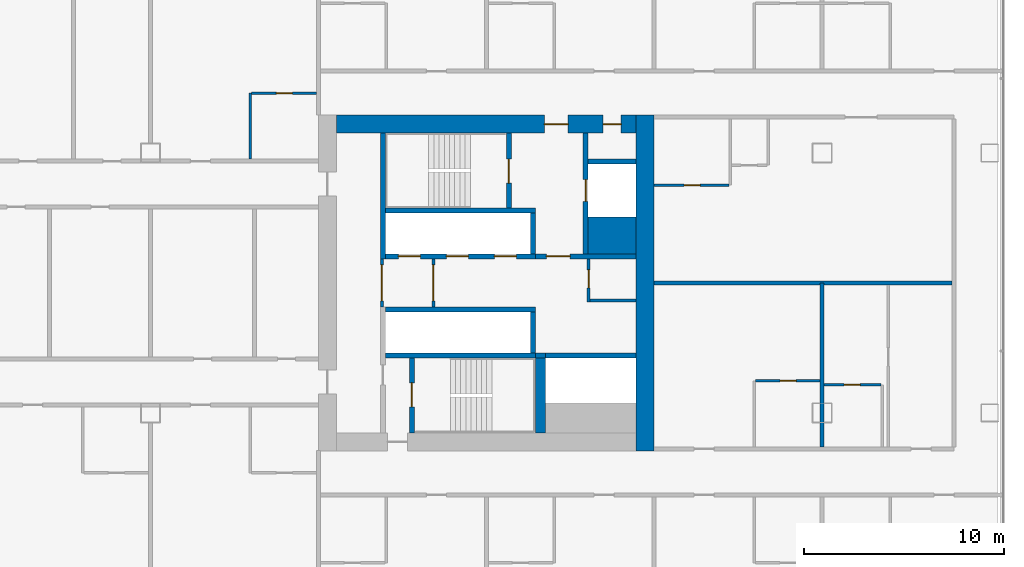
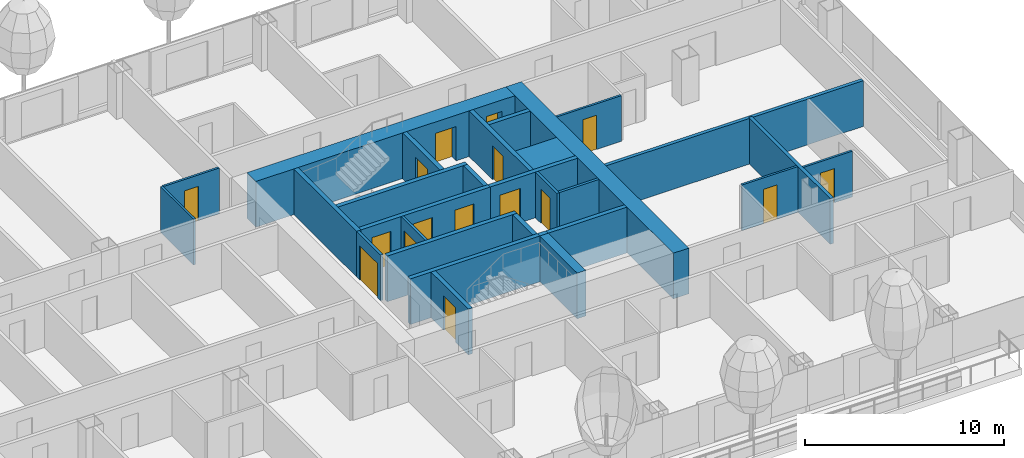
# One storey, part 18 of 35: 29 walls, 16 doors, 16 openings.
"""IFC4 building model written with IfcOpenShell, lengths in metres."""

from ifc_helpers import new_model, si_unit, direction, frame, frame_2d, origin, place, context, subcontext, project, spatial, rectangle, extrude, material, layer, layer_set, type_object, element, fill, save


model = new_model("IFC4")

# Units and contexts
model_context = context("Model", 3, precision=1e-05, world=origin(), true_north=direction((0.0, 1.0)))
body_context = subcontext(model_context, "Body", "Model", "MODEL_VIEW")
ifc_project = project(units=[si_unit("LENGTHUNIT", "METRE"), si_unit("AREAUNIT", "SQUARE_METRE"), si_unit("VOLUMEUNIT", "CUBIC_METRE"), si_unit("PLANEANGLEUNIT", "RADIAN"), si_unit("MASSUNIT", "GRAM", prefix="KILO")], contexts=[model_context])

# Site, building, storey
site_placement = place(None, origin())
site = spatial("IfcSite", under=ifc_project, at=site_placement, CompositionType="ELEMENT")
building_placement = place(site_placement, origin())
building = spatial("IfcBuilding", under=site, at=building_placement, Name="Hakoniwa Tower and Hamabe Station Hall", CompositionType="ELEMENT")
storey_placement = place(building_placement, frame((0.0, 0.0, 51.800048828125)))
storey = spatial("IfcBuildingStorey", under=building, at=storey_placement, Name="L14", CompositionType="ELEMENT", Elevation=51.800048828125)

# Wall, opening, door
ifc_material_1 = material(Name="Gypsum board partition", Category="gypsum")
ifc_layer_1 = layer(ifc_material_1, 0.125)
ifc_layer_set_1 = layer_set([ifc_layer_1], Name="Bathroom Partition 125")
wall_type_1 = type_object("IfcWallType", Name="Bathroom Partition 125", PredefinedType="PARTITIONING", material=ifc_layer_set_1)
wall_1_placement = place(storey_placement, frame((42.10009765625, -5.10009765625, 0.0), z_axis=(0.0, 0.0, 1.0), x_axis=(1.0, 0.0, 0.0)))
wall_1 = element("IfcWall", 1, at=wall_1_placement, inside=storey, type_object=wall_type_1, Name="GW-L14-016", PredefinedType="PARTITIONING", context=body_context, shape_type="SweptSolid", body=[
    extrude(rectangle(XDim=2.83740234375, YDim=0.125, at=frame_2d((1.418701171875, 0.0))), origin(), (0.0, 0.0, 1.0), 2.800048828125),
])
opening_1_placement = place(wall_1_placement, frame((1.0, 0.0, 0.0)))
opening_1 = element("IfcOpeningElement", 2, at=opening_1_placement, cuts=wall_1, Name="Opening GD-G1A2-30", PredefinedType="OPENING", context=body_context, shape_type="SweptSolid", body=[
    extrude(rectangle(XDim=0.800048828125, YDim=2.10009765625, at=frame_2d((0.39990234375, 1.050048828125))), frame((0.0, 0.072509765625, 0.0), z_axis=(0.0, -1.0, 0.0), x_axis=(1.0, 0.0, 0.0)), (0.0, 0.0, 1.0), 0.14501953125),
])
ifc_material_2 = material(Name="Timber door leaf", Category="wood")
door_type_1 = type_object("IfcDoorType", Name="Bathroom Door 800", OperationType="SINGLE_SWING_LEFT", PredefinedType="DOOR", material=ifc_material_2)
door_1_placement = place(opening_1_placement, origin())
door_1 = element("IfcDoor", 3, at=door_1_placement, inside=storey, type_object=door_type_1, Name="Door GD-G1A2-30", OperationType="SINGLE_SWING_RIGHT", OverallHeight=2.10009765625, OverallWidth=0.800048828125, PredefinedType="DOOR", context=body_context, shape_type="SweptSolid", body=[
    extrude(rectangle(XDim=0.800048828125, YDim=2.10009765625, at=frame_2d((0.39990234375, 1.050048828125))), frame((0.0, 0.02490234375, 0.0), z_axis=(0.0, -1.0, 0.0), x_axis=(1.0, 0.0, 0.0)), (0.0, 0.0, 1.0), 0.050048828125),
])
fill(opening_1, door_1)

wall_2_placement = place(storey_placement, frame((38.66259765625, -4.89990234375, 0.0), z_axis=(0.0, 0.0, 1.0), x_axis=(1.0, 0.0, 0.0)))
wall_2 = element("IfcWall", 4, at=wall_2_placement, inside=storey, type_object=wall_type_1, Name="GW-L14-018", PredefinedType="PARTITIONING", context=body_context, shape_type="SweptSolid", body=[
    extrude(rectangle(XDim=3.2373046875, YDim=0.125, at=frame_2d((1.61865234375, 0.0))), origin(), (0.0, 0.0, 1.0), 2.800048828125),
])
opening_2_placement = place(wall_2_placement, frame((1.237548828125, 0.0, 0.0)))
opening_2 = element("IfcOpeningElement", 5, at=opening_2_placement, cuts=wall_2, Name="Opening GD-G1A2-32", PredefinedType="OPENING", context=body_context, shape_type="SweptSolid", body=[
    extrude(rectangle(XDim=0.800048828125, YDim=2.10009765625, at=frame_2d((0.39990234375, 1.050048828125))), frame((0.0, 0.072509765625, 0.0), z_axis=(0.0, -1.0, 0.0), x_axis=(1.0, 0.0, 0.0)), (0.0, 0.0, 1.0), 0.14501953125),
])
door_2_placement = place(opening_2_placement, origin())
door_2 = element("IfcDoor", 6, at=door_2_placement, inside=storey, type_object=door_type_1, Name="Door GD-G1A2-32", OperationType="SINGLE_SWING_RIGHT", OverallHeight=2.10009765625, OverallWidth=0.800048828125, PredefinedType="DOOR", context=body_context, shape_type="SweptSolid", body=[
    extrude(rectangle(XDim=0.800048828125, YDim=2.10009765625, at=frame_2d((0.39990234375, 1.050048828125))), frame((0.0, 0.02490234375, 0.0), z_axis=(0.0, -1.0, 0.0), x_axis=(1.0, 0.0, 0.0)), (0.0, 0.0, 1.0), 0.050048828125),
])
fill(opening_2, door_2)

wall_3_placement = place(storey_placement, frame((33.60009765625, 4.89990234375, 0.0), z_axis=(0.0, 0.0, 1.0), x_axis=(1.0, 0.0, 0.0)))
wall_3 = element("IfcWall", 7, at=wall_3_placement, inside=storey, type_object=wall_type_1, Name="GW-L14-024", PredefinedType="PARTITIONING", context=body_context, shape_type="SweptSolid", body=[
    extrude(rectangle(XDim=3.7373046875, YDim=0.125, at=frame_2d((1.86865234375, 0.0))), origin(), (0.0, 0.0, 1.0), 2.800048828125),
])
opening_3_placement = place(wall_3_placement, frame((1.5, 0.0, 0.0)))
opening_3 = element("IfcOpeningElement", 8, at=opening_3_placement, cuts=wall_3, Name="Opening GD-G1A2-42", PredefinedType="OPENING", context=body_context, shape_type="SweptSolid", body=[
    extrude(rectangle(XDim=0.800048828125, YDim=2.10009765625, at=frame_2d((0.39990234375, 1.050048828125))), frame((0.0, 0.072509765625, 0.0), z_axis=(0.0, -1.0, 0.0), x_axis=(1.0, 0.0, 0.0)), (0.0, 0.0, 1.0), 0.14501953125),
])
door_3_placement = place(opening_3_placement, origin())
door_3 = element("IfcDoor", 9, at=door_3_placement, inside=storey, type_object=door_type_1, Name="Door GD-G1A2-42", OperationType="SINGLE_SWING_LEFT", OverallHeight=2.10009765625, OverallWidth=0.800048828125, PredefinedType="DOOR", context=body_context, shape_type="SweptSolid", body=[
    extrude(rectangle(XDim=0.800048828125, YDim=2.10009765625, at=frame_2d((0.39990234375, 1.050048828125))), frame((0.0, 0.02490234375, 0.0), z_axis=(0.0, -1.0, 0.0), x_axis=(1.0, 0.0, 0.0)), (0.0, 0.0, 1.0), 0.050048828125),
])
fill(opening_3, door_3)

wall_4_placement = place(storey_placement, frame((13.46240234375, 9.5, 0.0), z_axis=(0.0, 0.0, 1.0), x_axis=(1.0, 0.0, 0.0)))
wall_4 = element("IfcWall", 10, at=wall_4_placement, inside=storey, type_object=wall_type_1, Name="GW-L14-031", PredefinedType="PARTITIONING", context=body_context, shape_type="SweptSolid", body=[
    extrude(rectangle(XDim=3.237548828125, YDim=0.125, at=frame_2d((1.61865234375, 0.0))), origin(), (0.0, 0.0, 1.0), 2.800048828125),
])
opening_4_placement = place(wall_4_placement, frame((1.237548828125, 0.0, 0.0)))
opening_4 = element("IfcOpeningElement", 11, at=opening_4_placement, cuts=wall_4, Name="Opening GD-G1A2-55", PredefinedType="OPENING", context=body_context, shape_type="SweptSolid", body=[
    extrude(rectangle(XDim=0.800048828125, YDim=2.10009765625, at=frame_2d((0.39990234375, 1.050048828125))), frame((0.0, 0.072509765625, 0.0), z_axis=(0.0, -1.0, 0.0), x_axis=(1.0, 0.0, 0.0)), (0.0, 0.0, 1.0), 0.14501953125),
])
door_4_placement = place(opening_4_placement, origin())
door_4 = element("IfcDoor", 12, at=door_4_placement, inside=storey, type_object=door_type_1, Name="Door GD-G1A2-55", OperationType="SINGLE_SWING_LEFT", OverallHeight=2.10009765625, OverallWidth=0.800048828125, PredefinedType="DOOR", context=body_context, shape_type="SweptSolid", body=[
    extrude(rectangle(XDim=0.800048828125, YDim=2.10009765625, at=frame_2d((0.39990234375, 1.050048828125))), frame((0.0, 0.02490234375, 0.0), z_axis=(0.0, -1.0, 0.0), x_axis=(1.0, 0.0, 0.0)), (0.0, 0.0, 1.0), 0.050048828125),
])
fill(opening_4, door_4)

# Wall
wall_5_placement = place(storey_placement, frame((13.39990234375, 6.199951171875, 0.0), z_axis=(0.0, 0.0, 1.0), x_axis=(0.0, 1.0, 0.0)))
element("IfcWall", 13, at=wall_5_placement, inside=storey, type_object=wall_type_1, Name="GW-L14-082", PredefinedType="PARTITIONING", context=body_context, shape_type="SweptSolid", body=[
    extrude(rectangle(XDim=3.300048828125, YDim=0.125, at=frame_2d((1.64990234375, 0.0))), origin(), (0.0, 0.0, 1.0), 2.800048828125),
])

# Wall, opening, door
ifc_material_3 = material(Name="Gypsum board partition")
ifc_layer_2 = layer(ifc_material_3, 0.14990234375)
ifc_layer_set_2 = layer_set([ifc_layer_2], Name="CORE PARTITION 150 EI 60")
wall_type_2 = type_object("IfcWallType", Name="CORE PARTITION 150 EI 60", PredefinedType="PARTITIONING", material=ifc_layer_set_2)
wall_6_placement = place(storey_placement, frame((19.97509765625, -1.199951171875, 0.0), z_axis=(0.0, 0.0, 1.0), x_axis=(0.0, 1.0, 0.0)))
wall_6 = element("IfcWall", 14, at=wall_6_placement, inside=storey, type_object=wall_type_2, Name="Core partition PL0 east", PredefinedType="PARTITIONING", context=body_context, shape_type="SweptSolid", body=[
    extrude(rectangle(XDim=2.39990234375, YDim=0.14990234375, at=frame_2d((1.199951171875, 0.0))), origin(), (0.0, 0.0, 1.0), 2.800048828125),
])
opening_5_placement = place(wall_6_placement, frame((0.300048828125, 0.0, 0.0)))
opening_5 = element("IfcOpeningElement", 15, at=opening_5_placement, cuts=wall_6, Name="Opening CD-E-LP0-18", PredefinedType="OPENING", context=body_context, shape_type="SweptSolid", body=[
    extrude(rectangle(XDim=1.800048828125, YDim=2.10009765625, at=frame_2d((0.89990234375, 1.050048828125))), frame((0.0, 0.0849609375, 0.0), z_axis=(0.0, -1.0, 0.0), x_axis=(1.0, 0.0, 0.0)), (0.0, 0.0, 1.0), 0.169921875),
])
ifc_material_4 = material(Name="Steel fire door", Category="steel")
door_type_2 = type_object("IfcDoorType", Name="CORE DOOR 1800 FD60", OperationType="DOUBLE_DOOR_SINGLE_SWING", PredefinedType="DOOR", material=ifc_material_4)
door_5_placement = place(opening_5_placement, origin())
door_5 = element("IfcDoor", 16, at=door_5_placement, inside=storey, type_object=door_type_2, Name="Lift lobby partition door", OperationType="DOUBLE_DOOR_SINGLE_SWING", OverallHeight=2.10009765625, OverallWidth=1.800048828125, PredefinedType="DOOR", context=body_context, shape_type="SweptSolid", body=[
    extrude(rectangle(XDim=1.800048828125, YDim=2.10009765625, at=frame_2d((0.89990234375, 1.050048828125))), frame((0.0, 0.02490234375, 0.0), z_axis=(0.0, -1.0, 0.0), x_axis=(1.0, 0.0, 0.0)), (0.0, 0.0, 1.0), 0.050048828125),
])
fill(opening_5, door_5)

wall_7_placement = place(storey_placement, frame((22.550048828125, -1.199951171875, 0.0), z_axis=(0.0, 0.0, 1.0), x_axis=(0.0, 1.0, 0.0)))
wall_7 = element("IfcWall", 17, at=wall_7_placement, inside=storey, type_object=wall_type_2, Name="Core partition PL1 east", PredefinedType="PARTITIONING", context=body_context, shape_type="SweptSolid", body=[
    extrude(rectangle(XDim=2.39990234375, YDim=0.14990234375, at=frame_2d((1.199951171875, 0.0))), origin(), (0.0, 0.0, 1.0), 2.800048828125),
])
opening_6_placement = place(wall_7_placement, frame((0.300048828125, 0.0, 0.0)))
opening_6 = element("IfcOpeningElement", 18, at=opening_6_placement, cuts=wall_7, Name="Opening CD-E-LP1-18", PredefinedType="OPENING", context=body_context, shape_type="SweptSolid", body=[
    extrude(rectangle(XDim=1.800048828125, YDim=2.10009765625, at=frame_2d((0.89990234375, 1.050048828125))), frame((0.0, 0.0849609375, 0.0), z_axis=(0.0, -1.0, 0.0), x_axis=(1.0, 0.0, 0.0)), (0.0, 0.0, 1.0), 0.169921875),
])
door_6_placement = place(opening_6_placement, origin())
door_6 = element("IfcDoor", 19, at=door_6_placement, inside=storey, type_object=door_type_2, Name="Lift lobby partition door", OperationType="DOUBLE_DOOR_SINGLE_SWING", OverallHeight=2.10009765625, OverallWidth=1.800048828125, PredefinedType="DOOR", context=body_context, shape_type="SweptSolid", body=[
    extrude(rectangle(XDim=1.800048828125, YDim=2.10009765625, at=frame_2d((0.89990234375, 1.050048828125))), frame((0.0, 0.02490234375, 0.0), z_axis=(0.0, -1.0, 0.0), x_axis=(1.0, 0.0, 0.0)), (0.0, 0.0, 1.0), 0.050048828125),
])
fill(opening_6, door_6)

wall_8_placement = place(storey_placement, frame((30.324951171875, -0.949951171875, 0.0), z_axis=(0.0, 0.0, 1.0), x_axis=(0.0, 1.0, 0.0)))
wall_8 = element("IfcWall", 20, at=wall_8_placement, inside=storey, type_object=wall_type_2, Name="Core partition PW0 east", PredefinedType="PARTITIONING", context=body_context, shape_type="SweptSolid", body=[
    extrude(rectangle(XDim=2.14990234375, YDim=0.14990234375, at=frame_2d((1.074951171875, 0.0))), origin(), (0.0, 0.0, 1.0), 2.800048828125),
])
opening_7_placement = place(wall_8_placement, frame((0.699951171875, 0.0, 0.0)))
opening_7 = element("IfcOpeningElement", 21, at=opening_7_placement, cuts=wall_8, Name="Opening CD-E-RM1-9", PredefinedType="OPENING", context=body_context, shape_type="SweptSolid", body=[
    extrude(rectangle(XDim=0.89990234375, YDim=2.10009765625, at=frame_2d((0.449951171875, 1.050048828125))), frame((0.0, 0.0849609375, 0.0), z_axis=(0.0, -1.0, 0.0), x_axis=(1.0, 0.0, 0.0)), (0.0, 0.0, 1.0), 0.169921875),
])
ifc_material_5 = material(Name="Steel fire door", Category="steel")
door_type_3 = type_object("IfcDoorType", Name="CORE DOOR 900 FD30", OperationType="NOTDEFINED", PredefinedType="DOOR", material=ifc_material_5)
door_7_placement = place(opening_7_placement, origin())
door_7 = element("IfcDoor", 22, at=door_7_placement, inside=storey, type_object=door_type_3, Name="Store room door", OperationType="SINGLE_SWING_LEFT", OverallHeight=2.10009765625, OverallWidth=0.89990234375, PredefinedType="DOOR", context=body_context, shape_type="SweptSolid", body=[
    extrude(rectangle(XDim=0.89990234375, YDim=2.10009765625, at=frame_2d((0.449951171875, 1.050048828125))), frame((0.0, 0.02490234375, 0.0), z_axis=(0.0, -1.0, 0.0), x_axis=(1.0, 0.0, 0.0)), (0.0, 0.0, 1.0), 0.050048828125),
])
fill(opening_7, door_7)

# Walls
wall_9_placement = place(storey_placement, frame((30.39990234375, -0.875, 0.0), z_axis=(0.0, 0.0, 1.0), x_axis=(1.0, 0.0, 0.0)))
element("IfcWall", 23, at=wall_9_placement, inside=storey, type_object=wall_type_2, Name="Core partition PS east", PredefinedType="PARTITIONING", context=body_context, shape_type="SweptSolid", body=[
    extrude(rectangle(XDim=2.300048828125, YDim=0.14990234375, at=frame_2d((1.14990234375, 0.0))), origin(), (0.0, 0.0, 1.0), 2.800048828125),
])
ifc_material_6 = material(Name="Concrete C80", Category="concrete")
ifc_layer_3 = layer(ifc_material_6, 0.89990234375)
ifc_layer_set_3 = layer_set([ifc_layer_3], Name="CORE WALL 900 C80")
wall_type_3 = type_object("IfcWallType", Name="CORE WALL 900 C80", PredefinedType="SHEAR", material=ifc_layer_set_3)
wall_10_placement = place(storey_placement, frame((33.14990234375, -8.39990234375, 0.0), z_axis=(0.0, 0.0, 1.0), x_axis=(0.0, 1.0, 0.0)))
element("IfcWall", 24, at=wall_10_placement, inside=storey, type_object=wall_type_3, Name="Core wall OUTER east", PredefinedType="SHEAR", context=body_context, shape_type="SweptSolid", body=[
    extrude(rectangle(XDim=16.7998046875, YDim=0.89990234375, at=frame_2d((8.39990234375, 0.0))), origin(), (0.0, 0.0, 1.0), 2.800048828125),
])

# Wall, openings, doors
wall_11_placement = place(storey_placement, frame((17.699951171875, 7.949951171875, 0.0), z_axis=(0.0, 0.0, 1.0), x_axis=(1.0, 0.0, 0.0)))
wall_11 = element("IfcWall", 25, at=wall_11_placement, inside=storey, type_object=wall_type_3, Name="Core wall NORTH east", PredefinedType="SHEAR", context=body_context, shape_type="SweptSolid", body=[
    extrude(rectangle(XDim=15.0, YDim=0.89990234375, at=frame_2d((7.5, 0.0))), origin(), (0.0, 0.0, 1.0), 2.800048828125),
])
opening_8_placement = place(wall_11_placement, frame((10.39990234375, 0.0, 0.0)))
opening_8 = element("IfcOpeningElement", 26, at=opening_8_placement, cuts=wall_11, Name="Opening CD-E-FN1-12", PredefinedType="OPENING", context=body_context, shape_type="SweptSolid", body=[
    extrude(rectangle(XDim=1.199951171875, YDim=2.10009765625, at=frame_2d((0.60009765625, 1.050048828125))), frame((0.0, 0.4599609375, 0.0), z_axis=(0.0, -1.0, 0.0), x_axis=(1.0, 0.0, 0.0)), (0.0, 0.0, 1.0), 0.919921875),
])
opening_9_placement = place(wall_11_placement, frame((13.35009765625, 0.0, 0.0)))
opening_9 = element("IfcOpeningElement", 27, at=opening_9_placement, cuts=wall_11, Name="Opening CD-E-FN2-9", PredefinedType="OPENING", context=body_context, shape_type="SweptSolid", body=[
    extrude(rectangle(XDim=0.89990234375, YDim=2.10009765625, at=frame_2d((0.449951171875, 1.050048828125))), frame((0.0, 0.4599609375, 0.0), z_axis=(0.0, -1.0, 0.0), x_axis=(1.0, 0.0, 0.0)), (0.0, 0.0, 1.0), 0.919921875),
])
ifc_material_7 = material(Name="Steel fire door", Category="steel")
door_type_4 = type_object("IfcDoorType", Name="CORE DOOR 1200 FD60", OperationType="DOUBLE_DOOR_SINGLE_SWING", PredefinedType="DOOR", material=ifc_material_7)
door_8_placement = place(opening_8_placement, origin())
door_8 = element("IfcDoor", 28, at=door_8_placement, inside=storey, type_object=door_type_4, Name="Stair vestibule door to the fire-fighting lobby", OperationType="DOUBLE_DOOR_SINGLE_SWING", OverallHeight=2.10009765625, OverallWidth=1.199951171875, PredefinedType="DOOR", context=body_context, shape_type="SweptSolid", body=[
    extrude(rectangle(XDim=1.199951171875, YDim=2.10009765625, at=frame_2d((0.60009765625, 1.050048828125))), frame((0.0, 0.02490234375, 0.0), z_axis=(0.0, -1.0, 0.0), x_axis=(1.0, 0.0, 0.0)), (0.0, 0.0, 1.0), 0.050048828125),
])
fill(opening_8, door_8)
door_9_placement = place(opening_9_placement, origin())
door_9 = element("IfcDoor", 29, at=door_9_placement, inside=storey, type_object=door_type_3, Name="Riser access door", OperationType="SINGLE_SWING_RIGHT", OverallHeight=2.10009765625, OverallWidth=0.89990234375, PredefinedType="DOOR", context=body_context, shape_type="SweptSolid", body=[
    extrude(rectangle(XDim=0.89990234375, YDim=2.10009765625, at=frame_2d((0.449951171875, 1.050048828125))), frame((0.0, 0.02490234375, 0.0), z_axis=(0.0, -1.0, 0.0), x_axis=(1.0, 0.0, 0.0)), (0.0, 0.0, 1.0), 0.050048828125),
])
fill(opening_9, door_9)

# Walls
ifc_material_8 = material(Name="Concrete C80", Category="concrete")
ifc_layer_4 = layer(ifc_material_8, 1.85009765625)
ifc_layer_set_4 = layer_set([ifc_layer_4], Name="CORE WEB WALL 1850 C80")
wall_type_4 = type_object("IfcWallType", Name="CORE WEB WALL 1850 C80", PredefinedType="SHEAR", material=ifc_layer_set_4)
wall_12_placement = place(storey_placement, frame((30.300048828125, 2.375, 0.0), z_axis=(0.0, 0.0, 1.0), x_axis=(1.0, 0.0, 0.0)))
element("IfcWall", 30, at=wall_12_placement, inside=storey, type_object=wall_type_4, Name="Core wall CA east", PredefinedType="SHEAR", context=body_context, shape_type="SweptSolid", body=[
    extrude(rectangle(XDim=2.39990234375, YDim=1.85009765625, at=frame_2d((1.199951171875, 0.0))), origin(), (0.0, 0.0, 1.0), 2.800048828125),
])
ifc_material_9 = material(Name="Concrete C80", Category="concrete")
ifc_layer_5 = layer(ifc_material_9, 0.25)
ifc_layer_set_5 = layer_set([ifc_layer_5], Name="CORE WEB WALL 250 C80")
wall_type_5 = type_object("IfcWallType", Name="CORE WEB WALL 250 C80", PredefinedType="SHEAR", material=ifc_layer_set_5)
wall_13_placement = place(storey_placement, frame((20.02490234375, 1.199951171875, 0.0), z_axis=(0.0, 0.0, 1.0), x_axis=(0.0, 1.0, 0.0)))
element("IfcWall", 31, at=wall_13_placement, inside=storey, type_object=wall_type_5, Name="Core wall W1N east", PredefinedType="SHEAR", context=body_context, shape_type="SweptSolid", body=[
    extrude(rectangle(XDim=6.300048828125, YDim=0.25, at=frame_2d((3.14990234375, 0.0))), origin(), (0.0, 0.0, 1.0), 2.800048828125),
])

# Wall, openings, doors
wall_14_placement = place(storey_placement, frame((20.14990234375, 1.324951171875, 0.0), z_axis=(0.0, 0.0, 1.0), x_axis=(1.0, 0.0, 0.0)))
wall_14 = element("IfcWall", 32, at=wall_14_placement, inside=storey, type_object=wall_type_5, Name="Core wall NF east", PredefinedType="SHEAR", context=body_context, shape_type="SweptSolid", body=[
    extrude(rectangle(XDim=7.5, YDim=0.25, at=frame_2d((3.75, 0.0))), origin(), (0.0, 0.0, 1.0), 2.800048828125),
])
opening_10_placement = place(wall_14_placement, frame((0.64990234375, 0.0, 0.0)))
opening_10 = element("IfcOpeningElement", 33, at=opening_10_placement, cuts=wall_14, Name="Opening LD-LR4", PredefinedType="OPENING", context=body_context, shape_type="SweptSolid", body=[
    extrude(rectangle(XDim=1.10009765625, YDim=2.10009765625, at=frame_2d((0.550048828125, 1.050048828125))), frame((0.0, 0.135009765625, 0.0), z_axis=(0.0, -1.0, 0.0), x_axis=(1.0, 0.0, 0.0)), (0.0, 0.0, 1.0), 0.27001953125),
])
opening_11_placement = place(wall_14_placement, frame((3.050048828125, 0.0, 0.0)))
opening_11 = element("IfcOpeningElement", 34, at=opening_11_placement, cuts=wall_14, Name="Opening LD-LR5", PredefinedType="OPENING", context=body_context, shape_type="SweptSolid", body=[
    extrude(rectangle(XDim=1.10009765625, YDim=2.10009765625, at=frame_2d((0.550048828125, 1.050048828125))), frame((0.0, 0.135009765625, 0.0), z_axis=(0.0, -1.0, 0.0), x_axis=(1.0, 0.0, 0.0)), (0.0, 0.0, 1.0), 0.27001953125),
])
opening_12_placement = place(wall_14_placement, frame((5.449951171875, 0.0, 0.0)))
opening_12 = element("IfcOpeningElement", 35, at=opening_12_placement, cuts=wall_14, Name="Opening LD-LR6", PredefinedType="OPENING", context=body_context, shape_type="SweptSolid", body=[
    extrude(rectangle(XDim=1.10009765625, YDim=2.10009765625, at=frame_2d((0.550048828125, 1.050048828125))), frame((0.0, 0.135009765625, 0.0), z_axis=(0.0, -1.0, 0.0), x_axis=(1.0, 0.0, 0.0)), (0.0, 0.0, 1.0), 0.27001953125),
])
ifc_material_10 = material(Name="Stainless steel SUS304", Category="steel")
door_type_5 = type_object("IfcDoorType", Name="LIFT LANDING DOOR 1100 FD60", OperationType="DOUBLE_DOOR_SLIDING", PredefinedType="DOOR", material=ifc_material_10)
door_10_placement = place(opening_10_placement, origin())
door_10 = element("IfcDoor", 36, at=door_10_placement, inside=storey, type_object=door_type_5, Name="Lift landing door LR4 L14", OperationType="DOUBLE_DOOR_SLIDING", OverallHeight=2.10009765625, OverallWidth=1.10009765625, PredefinedType="DOOR", context=body_context, shape_type="SweptSolid", body=[
    extrude(rectangle(XDim=1.10009765625, YDim=2.10009765625, at=frame_2d((0.550048828125, 1.050048828125))), frame((0.0, 0.02490234375, 0.0), z_axis=(0.0, -1.0, 0.0), x_axis=(1.0, 0.0, 0.0)), (0.0, 0.0, 1.0), 0.050048828125),
])
fill(opening_10, door_10)
door_11_placement = place(opening_11_placement, origin())
door_11 = element("IfcDoor", 37, at=door_11_placement, inside=storey, type_object=door_type_5, Name="Lift landing door LR5 L14", OperationType="DOUBLE_DOOR_SLIDING", OverallHeight=2.10009765625, OverallWidth=1.10009765625, PredefinedType="DOOR", context=body_context, shape_type="SweptSolid", body=[
    extrude(rectangle(XDim=1.10009765625, YDim=2.10009765625, at=frame_2d((0.550048828125, 1.050048828125))), frame((0.0, 0.02490234375, 0.0), z_axis=(0.0, -1.0, 0.0), x_axis=(1.0, 0.0, 0.0)), (0.0, 0.0, 1.0), 0.050048828125),
])
fill(opening_11, door_11)
door_12_placement = place(opening_12_placement, origin())
door_12 = element("IfcDoor", 38, at=door_12_placement, inside=storey, type_object=door_type_5, Name="Lift landing door LR6 L14", OperationType="DOUBLE_DOOR_SLIDING", OverallHeight=2.10009765625, OverallWidth=1.10009765625, PredefinedType="DOOR", context=body_context, shape_type="SweptSolid", body=[
    extrude(rectangle(XDim=1.10009765625, YDim=2.10009765625, at=frame_2d((0.550048828125, 1.050048828125))), frame((0.0, 0.02490234375, 0.0), z_axis=(0.0, -1.0, 0.0), x_axis=(1.0, 0.0, 0.0)), (0.0, 0.0, 1.0), 0.050048828125),
])
fill(opening_12, door_12)

# Walls
wall_15_placement = place(storey_placement, frame((27.52490234375, 1.449951171875, 0.0), z_axis=(0.0, 0.0, 1.0), x_axis=(0.0, 1.0, 0.0)))
element("IfcWall", 39, at=wall_15_placement, inside=storey, type_object=wall_type_5, Name="Core wall NE east", PredefinedType="SHEAR", context=body_context, shape_type="SweptSolid", body=[
    extrude(rectangle(XDim=2.050048828125, YDim=0.25, at=frame_2d((1.02490234375, 0.0))), origin(), (0.0, 0.0, 1.0), 2.800048828125),
])
wall_16_placement = place(storey_placement, frame((20.14990234375, 3.625, 0.0), z_axis=(0.0, 0.0, 1.0), x_axis=(1.0, 0.0, 0.0)))
element("IfcWall", 40, at=wall_16_placement, inside=storey, type_object=wall_type_5, Name="Core wall NR east", PredefinedType="SHEAR", context=body_context, shape_type="SweptSolid", body=[
    extrude(rectangle(XDim=7.5, YDim=0.25, at=frame_2d((3.75, 0.0))), origin(), (0.0, 0.0, 1.0), 2.800048828125),
])

# Wall, opening, door
wall_17_placement = place(storey_placement, frame((26.324951171875, 3.75, 0.0), z_axis=(0.0, 0.0, 1.0), x_axis=(0.0, 1.0, 0.0)))
wall_17 = element("IfcWall", 41, at=wall_17_placement, inside=storey, type_object=wall_type_5, Name="Core wall NSE east", PredefinedType="SHEAR", context=body_context, shape_type="SweptSolid", body=[
    extrude(rectangle(XDim=3.75, YDim=0.25, at=frame_2d((1.875, 0.0))), origin(), (0.0, 0.0, 1.0), 2.800048828125),
])
opening_13_placement = place(wall_17_placement, frame((1.25, 0.0, 0.0)))
opening_13 = element("IfcOpeningElement", 42, at=opening_13_placement, cuts=wall_17, Name="Opening CD-E-SN-12", PredefinedType="OPENING", context=body_context, shape_type="SweptSolid", body=[
    extrude(rectangle(XDim=1.199951171875, YDim=2.10009765625, at=frame_2d((0.60009765625, 1.050048828125))), frame((0.0, 0.135009765625, 0.0), z_axis=(0.0, -1.0, 0.0), x_axis=(1.0, 0.0, 0.0)), (0.0, 0.0, 1.0), 0.27001953125),
])
door_13_placement = place(opening_13_placement, origin())
door_13 = element("IfcDoor", 43, at=door_13_placement, inside=storey, type_object=door_type_4, Name="Escape stair door", OperationType="DOUBLE_DOOR_SINGLE_SWING", OverallHeight=2.10009765625, OverallWidth=1.199951171875, PredefinedType="DOOR", context=body_context, shape_type="SweptSolid", body=[
    extrude(rectangle(XDim=1.199951171875, YDim=2.10009765625, at=frame_2d((0.60009765625, 1.050048828125))), frame((0.0, 0.02490234375, 0.0), z_axis=(0.0, -1.0, 0.0), x_axis=(1.0, 0.0, 0.0)), (0.0, 0.0, 1.0), 0.050048828125),
])
fill(opening_13, door_13)

wall_18_placement = place(storey_placement, frame((27.64990234375, 1.324951171875, 0.0), z_axis=(0.0, 0.0, 1.0), x_axis=(1.0, 0.0, 0.0)))
wall_18 = element("IfcWall", 44, at=wall_18_placement, inside=storey, type_object=wall_type_5, Name="Core wall ELN east", PredefinedType="SHEAR", context=body_context, shape_type="SweptSolid", body=[
    extrude(rectangle(XDim=5.050048828125, YDim=0.25, at=frame_2d((2.52490234375, 0.0))), origin(), (0.0, 0.0, 1.0), 2.800048828125),
])
opening_14_placement = place(wall_18_placement, frame((0.550048828125, 0.0, 0.0)))
opening_14 = element("IfcOpeningElement", 45, at=opening_14_placement, cuts=wall_18, Name="Opening CD-E-FL-12", PredefinedType="OPENING", context=body_context, shape_type="SweptSolid", body=[
    extrude(rectangle(XDim=1.199951171875, YDim=2.10009765625, at=frame_2d((0.60009765625, 1.050048828125))), frame((0.0, 0.135009765625, 0.0), z_axis=(0.0, -1.0, 0.0), x_axis=(1.0, 0.0, 0.0)), (0.0, 0.0, 1.0), 0.27001953125),
])
door_14_placement = place(opening_14_placement, origin())
door_14 = element("IfcDoor", 46, at=door_14_placement, inside=storey, type_object=door_type_4, Name="Stair vestibule door to the fire-fighting lobby", OperationType="DOUBLE_DOOR_SINGLE_SWING", OverallHeight=2.10009765625, OverallWidth=1.199951171875, PredefinedType="DOOR", context=body_context, shape_type="SweptSolid", body=[
    extrude(rectangle(XDim=1.199951171875, YDim=2.10009765625, at=frame_2d((0.60009765625, 1.050048828125))), frame((0.0, 0.02490234375, 0.0), z_axis=(0.0, -1.0, 0.0), x_axis=(1.0, 0.0, 0.0)), (0.0, 0.0, 1.0), 0.050048828125),
])
fill(opening_14, door_14)

wall_19_placement = place(storey_placement, frame((30.175048828125, 1.449951171875, 0.0), z_axis=(0.0, 0.0, 1.0), x_axis=(0.0, 1.0, 0.0)))
wall_19 = element("IfcWall", 47, at=wall_19_placement, inside=storey, type_object=wall_type_5, Name="Core wall FFF east", PredefinedType="SHEAR", context=body_context, shape_type="SweptSolid", body=[
    extrude(rectangle(XDim=6.050048828125, YDim=0.25, at=frame_2d((3.02490234375, 0.0))), origin(), (0.0, 0.0, 1.0), 2.800048828125),
])
opening_15_placement = place(wall_19_placement, frame((2.625, 0.0, 0.0)))
opening_15 = element("IfcOpeningElement", 48, at=opening_15_placement, cuts=wall_19, Name="Opening LD-FF2", PredefinedType="OPENING", context=body_context, shape_type="SweptSolid", body=[
    extrude(rectangle(XDim=1.10009765625, YDim=2.10009765625, at=frame_2d((0.550048828125, 1.050048828125))), frame((0.0, 0.135009765625, 0.0), z_axis=(0.0, -1.0, 0.0), x_axis=(1.0, 0.0, 0.0)), (0.0, 0.0, 1.0), 0.27001953125),
])
door_15_placement = place(opening_15_placement, origin())
door_15 = element("IfcDoor", 49, at=door_15_placement, inside=storey, type_object=door_type_5, Name="Lift landing door FF2 L14", OperationType="DOUBLE_DOOR_SLIDING", OverallHeight=2.10009765625, OverallWidth=1.10009765625, PredefinedType="DOOR", context=body_context, shape_type="SweptSolid", body=[
    extrude(rectangle(XDim=1.10009765625, YDim=2.10009765625, at=frame_2d((0.550048828125, 1.050048828125))), frame((0.0, 0.02490234375, 0.0), z_axis=(0.0, -1.0, 0.0), x_axis=(1.0, 0.0, 0.0)), (0.0, 0.0, 1.0), 0.050048828125),
])
fill(opening_15, door_15)

# Walls
wall_20_placement = place(storey_placement, frame((30.300048828125, 6.074951171875, 0.0), z_axis=(0.0, 0.0, 1.0), x_axis=(1.0, 0.0, 0.0)))
element("IfcWall", 50, at=wall_20_placement, inside=storey, type_object=wall_type_5, Name="Core wall C2 east", PredefinedType="SHEAR", context=body_context, shape_type="SweptSolid", body=[
    extrude(rectangle(XDim=2.39990234375, YDim=0.25, at=frame_2d((1.199951171875, 0.0))), origin(), (0.0, 0.0, 1.0), 2.800048828125),
])
wall_21_placement = place(storey_placement, frame((20.14990234375, -1.324951171875, 0.0), z_axis=(0.0, 0.0, 1.0), x_axis=(1.0, 0.0, 0.0)))
element("IfcWall", 51, at=wall_21_placement, inside=storey, type_object=wall_type_5, Name="Core wall SF east", PredefinedType="SHEAR", context=body_context, shape_type="SweptSolid", body=[
    extrude(rectangle(XDim=7.5, YDim=0.25, at=frame_2d((3.75, 0.0))), origin(), (0.0, 0.0, 1.0), 2.800048828125),
])
wall_22_placement = place(storey_placement, frame((27.52490234375, -3.5, 0.0), z_axis=(0.0, 0.0, 1.0), x_axis=(0.0, 1.0, 0.0)))
element("IfcWall", 52, at=wall_22_placement, inside=storey, type_object=wall_type_5, Name="Core wall SE east", PredefinedType="SHEAR", context=body_context, shape_type="SweptSolid", body=[
    extrude(rectangle(XDim=2.050048828125, YDim=0.25, at=frame_2d((1.02490234375, 0.0))), origin(), (0.0, 0.0, 1.0), 2.800048828125),
])
wall_23_placement = place(storey_placement, frame((20.14990234375, -3.625, 0.0), z_axis=(0.0, 0.0, 1.0), x_axis=(1.0, 0.0, 0.0)))
element("IfcWall", 53, at=wall_23_placement, inside=storey, type_object=wall_type_5, Name="Core wall SR east", PredefinedType="SHEAR", context=body_context, shape_type="SweptSolid", body=[
    extrude(rectangle(XDim=7.5, YDim=0.25, at=frame_2d((3.75, 0.0))), origin(), (0.0, 0.0, 1.0), 2.800048828125),
])

# Wall, opening, door
wall_24_placement = place(storey_placement, frame((21.47509765625, -7.5, 0.0), z_axis=(0.0, 0.0, 1.0), x_axis=(0.0, 1.0, 0.0)))
wall_24 = element("IfcWall", 54, at=wall_24_placement, inside=storey, type_object=wall_type_5, Name="Core wall VE east", PredefinedType="SHEAR", context=body_context, shape_type="SweptSolid", body=[
    extrude(rectangle(XDim=3.75, YDim=0.25, at=frame_2d((1.875, 0.0))), origin(), (0.0, 0.0, 1.0), 2.800048828125),
])
opening_16_placement = place(wall_24_placement, frame((1.300048828125, 0.0, 0.0)))
opening_16 = element("IfcOpeningElement", 55, at=opening_16_placement, cuts=wall_24, Name="Opening CD-E-SS-12", PredefinedType="OPENING", context=body_context, shape_type="SweptSolid", body=[
    extrude(rectangle(XDim=1.199951171875, YDim=2.10009765625, at=frame_2d((0.60009765625, 1.050048828125))), frame((0.0, 0.135009765625, 0.0), z_axis=(0.0, -1.0, 0.0), x_axis=(1.0, 0.0, 0.0)), (0.0, 0.0, 1.0), 0.27001953125),
])
door_16_placement = place(opening_16_placement, origin())
door_16 = element("IfcDoor", 56, at=door_16_placement, inside=storey, type_object=door_type_4, Name="Escape stair door", OperationType="DOUBLE_DOOR_SINGLE_SWING", OverallHeight=2.10009765625, OverallWidth=1.199951171875, PredefinedType="DOOR", context=body_context, shape_type="SweptSolid", body=[
    extrude(rectangle(XDim=1.199951171875, YDim=2.10009765625, at=frame_2d((0.60009765625, 1.050048828125))), frame((0.0, 0.02490234375, 0.0), z_axis=(0.0, -1.0, 0.0), x_axis=(1.0, 0.0, 0.0)), (0.0, 0.0, 1.0), 0.050048828125),
])
fill(opening_16, door_16)

# Walls
wall_25_placement = place(storey_placement, frame((28.14990234375, -3.625, 0.0), z_axis=(0.0, 0.0, 1.0), x_axis=(1.0, 0.0, 0.0)))
element("IfcWall", 57, at=wall_25_placement, inside=storey, type_object=wall_type_5, Name="Core wall SEF east", PredefinedType="SHEAR", context=body_context, shape_type="SweptSolid", body=[
    extrude(rectangle(XDim=4.550048828125, YDim=0.25, at=frame_2d((2.27490234375, 0.0))), origin(), (0.0, 0.0, 1.0), 2.800048828125),
])
wall_26_placement = place(storey_placement, frame((27.64990234375, -3.625, 0.0), z_axis=(0.0, 0.0, 1.0), x_axis=(1.0, 0.0, 0.0)))
element("IfcWall", 58, at=wall_26_placement, inside=storey, type_object=wall_type_5, Name="Core wall SRK east", PredefinedType="SHEAR", context=body_context, shape_type="SweptSolid", body=[
    extrude(rectangle(XDim=0.5, YDim=0.25, at=frame_2d((0.25, 0.0))), origin(), (0.0, 0.0, 1.0), 2.800048828125),
])
ifc_material_11 = material(Name="Concrete C80", Category="concrete")
ifc_layer_6 = layer(ifc_material_11, 0.5)
ifc_layer_set_6 = layer_set([ifc_layer_6], Name="CORE WEB WALL 500 C80")
wall_type_6 = type_object("IfcWallType", Name="CORE WEB WALL 500 C80", PredefinedType="SHEAR", material=ifc_layer_set_6)
wall_27_placement = place(storey_placement, frame((27.89990234375, -7.5, 0.0), z_axis=(0.0, 0.0, 1.0), x_axis=(0.0, 1.0, 0.0)))
element("IfcWall", 59, at=wall_27_placement, inside=storey, type_object=wall_type_6, Name="Core wall SSE east", PredefinedType="SHEAR", context=body_context, shape_type="SweptSolid", body=[
    extrude(rectangle(XDim=3.75, YDim=0.5, at=frame_2d((1.875, 0.0))), origin(), (0.0, 0.0, 1.0), 2.800048828125),
])
ifc_material_12 = material(Name="Fire-rated gypsum board partition", Category="gypsum")
ifc_layer_7 = layer(ifc_material_12, 0.199951171875)
ifc_layer_set_7 = layer_set([ifc_layer_7], Name="Party Wall 200")
wall_type_7 = type_object("IfcWallType", Name="Party Wall 200", PredefinedType="PARTITIONING", material=ifc_layer_set_7)
wall_28_placement = place(storey_placement, frame((33.60009765625, 0.0, 0.0), z_axis=(0.0, 0.0, 1.0), x_axis=(1.0, 0.0, 0.0)))
element("IfcWall", 60, at=wall_28_placement, inside=storey, type_object=wall_type_7, Name="GW-L14-021", PredefinedType="PARTITIONING", context=body_context, shape_type="SweptSolid", body=[
    extrude(rectangle(XDim=14.89990234375, YDim=0.199951171875, at=frame_2d((7.449951171875, 0.0))), origin(), (0.0, 0.0, 1.0), 2.800048828125),
])
wall_29_placement = place(storey_placement, frame((42.0, -8.199951171875, 0.0), z_axis=(0.0, 0.0, 1.0), x_axis=(0.0, 1.0, 0.0)))
element("IfcWall", 61, at=wall_29_placement, inside=storey, type_object=wall_type_7, Name="GW-L14-100", PredefinedType="PARTITIONING", context=body_context, shape_type="SweptSolid", body=[
    extrude(rectangle(XDim=8.199951171875, YDim=0.199951171875, at=frame_2d((4.10009765625, 0.0))), origin(), (0.0, 0.0, 1.0), 2.800048828125),
])

save(model, "model.ifc")
